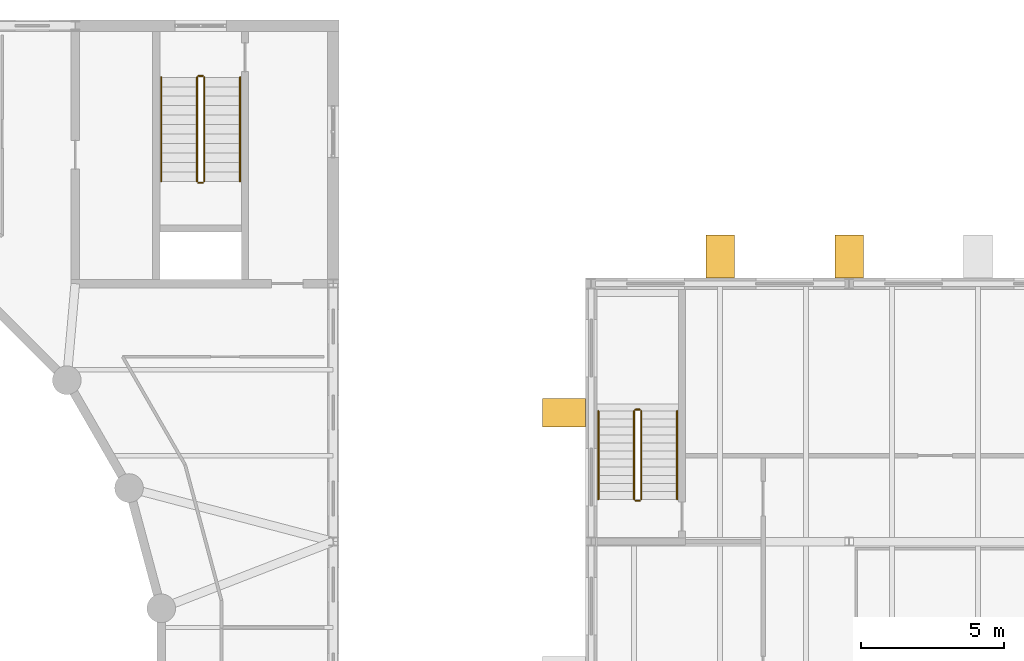
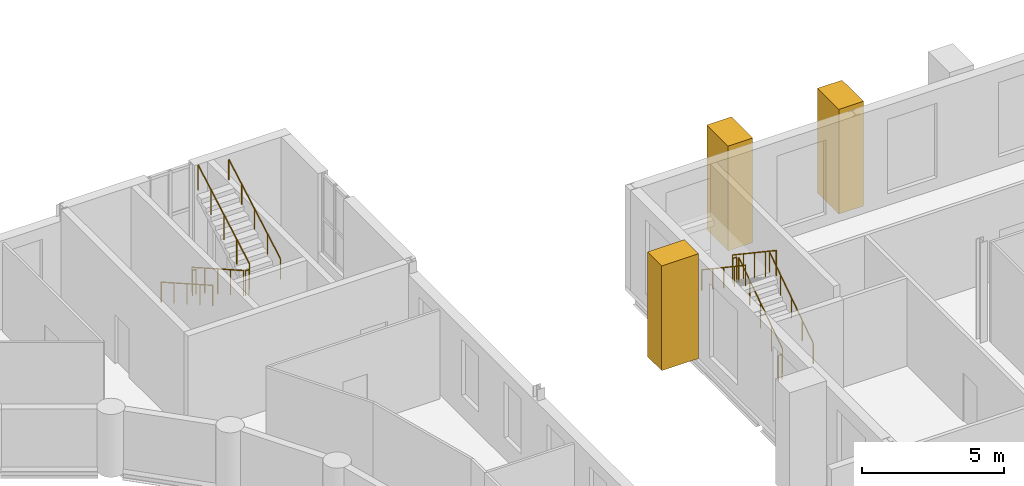
# One storey, part 124 of 134: 12 railings, 3 coverings.
"""IFC4 building model written with IfcOpenShell, lengths in metres."""

from ifc_helpers import new_model, si_unit, direction, frame, origin, origin_2d, place, context, subcontext, project, spatial, polyline, circle, outline, extrude, material, type_object, element, save


model = new_model("IFC4")

# Units and contexts
model_context = context("Model", 3, precision=1e-05, world=origin(), true_north=direction((0.0, 1.0)))
body_context = subcontext(model_context, "Body", "Model", "MODEL_VIEW")
ifc_project = project(units=[si_unit("LENGTHUNIT", "METRE"), si_unit("AREAUNIT", "SQUARE_METRE"), si_unit("VOLUMEUNIT", "CUBIC_METRE"), si_unit("PLANEANGLEUNIT", "RADIAN"), si_unit("MASSUNIT", "GRAM", prefix="KILO")], contexts=[model_context])

# Site, building, storey
site_placement = place(None, origin())
site = spatial("IfcSite", under=ifc_project, at=site_placement, CompositionType="ELEMENT")
building_placement = place(site_placement, origin())
building = spatial("IfcBuilding", under=site, at=building_placement, Name="Golden Quay Civic Hall", CompositionType="ELEMENT")
storey_placement = place(building_placement, frame((0.0, 0.0, 5.39990234375)))
storey = spatial("IfcBuildingStorey", under=building, at=storey_placement, Name="L01", CompositionType="ELEMENT", Elevation=5.39990234375)

# Coverings
ifc_material_1 = material(Name="Brick, dark clay facing", Category="masonry")
covering_type = type_object("IfcCoveringType", Name="Brick pier cladding 1000 x 1500", PredefinedType="CLADDING", material=ifc_material_1)
covering_1_placement = place(storey_placement, origin())
element("IfcCovering", 1, at=covering_1_placement, inside=storey, type_object=covering_type, Name="Brick pier cladding 1000 x 1500 L01 2", PredefinedType="CLADDING", context=body_context, shape_type="SweptSolid", body=[
    extrude(outline(polyline([(121.0, 99.199951171875), (122.0, 99.199951171875), (122.0, 100.699951171875), (121.0, 100.699951171875), (121.0, 99.199951171875)])), origin(), (0.0, 0.0, 1.0), 4.5),
])
covering_2_placement = place(storey_placement, origin())
element("IfcCovering", 2, at=covering_2_placement, inside=storey, type_object=covering_type, Name="Brick pier cladding 1000 x 1500 L01 3", PredefinedType="CLADDING", context=body_context, shape_type="SweptSolid", body=[
    extrude(outline(polyline([(125.5, 99.199951171875), (126.5, 99.199951171875), (126.5, 100.699951171875), (125.5, 100.699951171875), (125.5, 99.199951171875)])), origin(), (0.0, 0.0, 1.0), 4.5),
])
covering_3_placement = place(storey_placement, origin())
element("IfcCovering", 3, at=covering_3_placement, inside=storey, type_object=covering_type, Name="Brick pier cladding 1000 x 1500 L01 11", PredefinedType="CLADDING", context=body_context, shape_type="SweptSolid", body=[
    extrude(outline(polyline([(116.800048828125, 94.0), (116.800048828125, 95.0), (115.300048828125, 95.0), (115.300048828125, 94.0), (116.800048828125, 94.0)])), origin(), (0.0, 0.0, 1.0), 4.5),
])

# Railings
ifc_material_2 = material(Name="Steel S355", Category="steel")
railing_type_1 = type_object("IfcRailingType", Name="Steel guard 1100", PredefinedType="GUARDRAIL", material=ifc_material_2)
railing_1_placement = place(storey_placement, frame((103.25, 106.199951171875, 0.1875)))
element("IfcRailing", 4, at=railing_1_placement, inside=storey, type_object=railing_type_1, Name="L01 CB-NE stair guard 1", PredefinedType="GUARDRAIL", context=body_context, shape_type="SweptSolid", body=[
    extrude(circle(Radius=0.02392578125, at=origin_2d()), frame((0.0, 0.0, 1.076171875), z_axis=(0.0, -0.869449707104, 0.494021463923), x_axis=(1.0, 0.0, 0.0)), (0.0, 0.0, 1.0), 4.1748046875),
    extrude(circle(Radius=0.02099609375, at=origin_2d()), origin(), (0.0, 0.0, 1.0), 1.052001953125),
    extrude(circle(Radius=0.02099609375, at=origin_2d()), frame((0.0, -0.907470703125, 0.515625)), (0.0, 0.0, 1.0), 1.052001953125),
    extrude(circle(Radius=0.02099609375, at=origin_2d()), frame((0.0, -1.81494140625, 1.03125)), (0.0, 0.0, 1.0), 1.052001953125),
    extrude(circle(Radius=0.02099609375, at=origin_2d()), frame((0.0, -2.722412109375, 1.546875)), (0.0, 0.0, 1.0), 1.052001953125),
    extrude(circle(Radius=0.02099609375, at=origin_2d()), frame((0.0, -3.6298828125, 2.0625)), (0.0, 0.0, 1.0), 1.052001953125),
])
railing_2_placement = place(storey_placement, frame((103.300048828125, 102.52001953125, 2.25)))
element("IfcRailing", 5, at=railing_2_placement, inside=storey, type_object=railing_type_1, Name="L01 CB-NE stair guard 2", PredefinedType="GUARDRAIL", context=body_context, shape_type="SweptSolid", body=[
    extrude(circle(Radius=0.02392578125, at=origin_2d()), frame((0.0, 0.0, 1.076171875), z_axis=(1.0, 0.0, 0.0), x_axis=(0.0, 1.0, 0.0)), (0.0, 0.0, 1.0), 0.14990234375),
    extrude(circle(Radius=0.02099609375, at=origin_2d()), origin(), (0.0, 0.0, 1.0), 1.052001953125),
    extrude(circle(Radius=0.02099609375, at=origin_2d()), frame((0.14990234375, 0.0, 0.0)), (0.0, 0.0, 1.0), 1.052001953125),
])
railing_3_placement = place(storey_placement, frame((103.5, 102.570068359375, 2.4375)))
element("IfcRailing", 6, at=railing_3_placement, inside=storey, type_object=railing_type_1, Name="L01 CB-NE stair guard 3", PredefinedType="GUARDRAIL", context=body_context, shape_type="SweptSolid", body=[
    extrude(circle(Radius=0.02392578125, at=origin_2d()), frame((0.0, 0.0, 1.076171875), z_axis=(0.0, 0.869449707104, 0.494021463923), x_axis=(-1.0, 0.0, 0.0)), (0.0, 0.0, 1.0), 4.1748046875),
    extrude(circle(Radius=0.02099609375, at=origin_2d()), origin(), (0.0, 0.0, 1.0), 1.052001953125),
    extrude(circle(Radius=0.02099609375, at=origin_2d()), frame((0.0, 0.907470703125, 0.515625)), (0.0, 0.0, 1.0), 1.052001953125),
    extrude(circle(Radius=0.02099609375, at=origin_2d()), frame((0.0, 1.81494140625, 1.03125)), (0.0, 0.0, 1.0), 1.052001953125),
    extrude(circle(Radius=0.02099609375, at=origin_2d()), frame((0.0, 2.722412109375, 1.546875)), (0.0, 0.0, 1.0), 1.052001953125),
    extrude(circle(Radius=0.02099609375, at=origin_2d()), frame((0.0, 3.6298828125, 2.0625)), (0.0, 0.0, 1.0), 1.052001953125),
])
railing_4_placement = place(storey_placement, frame((103.300048828125, 106.25, 0.0)))
element("IfcRailing", 7, at=railing_4_placement, inside=storey, type_object=railing_type_1, Name="L01 CB-NE stair guard 4", PredefinedType="GUARDRAIL", context=body_context, shape_type="SweptSolid", body=[
    extrude(circle(Radius=0.02392578125, at=origin_2d()), frame((0.0, 0.0, 1.076171875), z_axis=(1.0, 0.0, 0.0), x_axis=(0.0, 1.0, 0.0)), (0.0, 0.0, 1.0), 0.14990234375),
    extrude(circle(Radius=0.02099609375, at=origin_2d()), origin(), (0.0, 0.0, 1.0), 1.052001953125),
    extrude(circle(Radius=0.02099609375, at=origin_2d()), frame((0.14990234375, 0.0, 0.0)), (0.0, 0.0, 1.0), 1.052001953125),
])
railing_5_placement = place(storey_placement, frame((118.75, 91.47509765625, 0.1875)))
element("IfcRailing", 8, at=railing_5_placement, inside=storey, type_object=railing_type_1, Name="L01 LB-STN stair guard 1", PredefinedType="GUARDRAIL", context=body_context, shape_type="SweptSolid", body=[
    extrude(circle(Radius=0.02392578125, at=origin_2d()), frame((0.0, 0.0, 1.076171875), z_axis=(0.0, 0.830893310487, 0.556431762742), x_axis=(-1.0, 0.0, 0.0)), (0.0, 0.0, 1.0), 3.70654296875),
    extrude(circle(Radius=0.02099609375, at=origin_2d()), origin(), (0.0, 0.0, 1.0), 1.052001953125),
    extrude(circle(Radius=0.02099609375, at=origin_2d()), frame((0.0, 0.77001953125, 0.515625)), (0.0, 0.0, 1.0), 1.052001953125),
    extrude(circle(Radius=0.02099609375, at=origin_2d()), frame((0.0, 1.5400390625, 1.03125)), (0.0, 0.0, 1.0), 1.052001953125),
    extrude(circle(Radius=0.02099609375, at=origin_2d()), frame((0.0, 2.309814453125, 1.546875)), (0.0, 0.0, 1.0), 1.052001953125),
    extrude(circle(Radius=0.02099609375, at=origin_2d()), frame((0.0, 3.079833984375, 2.0625)), (0.0, 0.0, 1.0), 1.052001953125),
])
railing_6_placement = place(storey_placement, frame((118.699951171875, 94.60498046875, 2.25)))
element("IfcRailing", 9, at=railing_6_placement, inside=storey, type_object=railing_type_1, Name="L01 LB-STN stair guard 2", PredefinedType="GUARDRAIL", context=body_context, shape_type="SweptSolid", body=[
    extrude(circle(Radius=0.02392578125, at=origin_2d()), frame((0.0, 0.0, 1.076171875), z_axis=(-1.0, 0.0, 0.0), x_axis=(0.0, -1.0, 0.0)), (0.0, 0.0, 1.0), 0.14990234375),
    extrude(circle(Radius=0.02099609375, at=origin_2d()), origin(), (0.0, 0.0, 1.0), 1.052001953125),
    extrude(circle(Radius=0.02099609375, at=origin_2d()), frame((-0.14990234375, 0.0, 0.0)), (0.0, 0.0, 1.0), 1.052001953125),
])
railing_7_placement = place(storey_placement, frame((118.5, 94.554931640625, 2.4375)))
element("IfcRailing", 10, at=railing_7_placement, inside=storey, type_object=railing_type_1, Name="L01 LB-STN stair guard 3", PredefinedType="GUARDRAIL", context=body_context, shape_type="SweptSolid", body=[
    extrude(circle(Radius=0.02392578125, at=origin_2d()), frame((0.0, 0.0, 1.076171875), z_axis=(0.0, -0.830893310487, 0.556431762742), x_axis=(1.0, 0.0, 0.0)), (0.0, 0.0, 1.0), 3.70654296875),
    extrude(circle(Radius=0.02099609375, at=origin_2d()), origin(), (0.0, 0.0, 1.0), 1.052001953125),
    extrude(circle(Radius=0.02099609375, at=origin_2d()), frame((0.0, -0.77001953125, 0.515625)), (0.0, 0.0, 1.0), 1.052001953125),
    extrude(circle(Radius=0.02099609375, at=origin_2d()), frame((0.0, -1.5400390625, 1.03125)), (0.0, 0.0, 1.0), 1.052001953125),
    extrude(circle(Radius=0.02099609375, at=origin_2d()), frame((0.0, -2.309814453125, 1.546875)), (0.0, 0.0, 1.0), 1.052001953125),
    extrude(circle(Radius=0.02099609375, at=origin_2d()), frame((0.0, -3.079833984375, 2.0625)), (0.0, 0.0, 1.0), 1.052001953125),
])
railing_8_placement = place(storey_placement, frame((118.699951171875, 91.425048828125, 0.0)))
element("IfcRailing", 11, at=railing_8_placement, inside=storey, type_object=railing_type_1, Name="L01 LB-STN stair guard 4", PredefinedType="GUARDRAIL", context=body_context, shape_type="SweptSolid", body=[
    extrude(circle(Radius=0.02392578125, at=origin_2d()), frame((0.0, 0.0, 1.076171875), z_axis=(-1.0, 0.0, 0.0), x_axis=(0.0, -1.0, 0.0)), (0.0, 0.0, 1.0), 0.14990234375),
    extrude(circle(Radius=0.02099609375, at=origin_2d()), origin(), (0.0, 0.0, 1.0), 1.052001953125),
    extrude(circle(Radius=0.02099609375, at=origin_2d()), frame((-0.14990234375, 0.0, 0.0)), (0.0, 0.0, 1.0), 1.052001953125),
])
ifc_material_3 = material(Name="Steel S355", Category="steel")
railing_type_2 = type_object("IfcRailingType", Name="Steel handrail 900", PredefinedType="HANDRAIL", material=ifc_material_3)
railing_9_placement = place(storey_placement, frame((102.0, 106.199951171875, 0.1875)))
element("IfcRailing", 12, at=railing_9_placement, inside=storey, type_object=railing_type_2, Name="L01 CB-NE stair handrail 1", PredefinedType="HANDRAIL", context=body_context, shape_type="SweptSolid", body=[
    extrude(circle(Radius=0.02392578125, at=origin_2d()), frame((0.0, 0.0, 0.8759765625), z_axis=(0.0, -0.869449707104, 0.494021463923), x_axis=(1.0, 0.0, 0.0)), (0.0, 0.0, 1.0), 4.1748046875),
    extrude(circle(Radius=0.02099609375, at=origin_2d()), origin(), (0.0, 0.0, 1.0), 0.851806640625),
    extrude(circle(Radius=0.02099609375, at=origin_2d()), frame((0.0, -0.907470703125, 0.515625)), (0.0, 0.0, 1.0), 0.851806640625),
    extrude(circle(Radius=0.02099609375, at=origin_2d()), frame((0.0, -1.81494140625, 1.03125)), (0.0, 0.0, 1.0), 0.851806640625),
    extrude(circle(Radius=0.02099609375, at=origin_2d()), frame((0.0, -2.722412109375, 1.546875)), (0.0, 0.0, 1.0), 0.851806640625),
    extrude(circle(Radius=0.02099609375, at=origin_2d()), frame((0.0, -3.6298828125, 2.0625)), (0.0, 0.0, 1.0), 0.851806640625),
])
railing_10_placement = place(storey_placement, frame((104.75, 102.570068359375, 2.4375)))
element("IfcRailing", 13, at=railing_10_placement, inside=storey, type_object=railing_type_2, Name="L01 CB-NE stair handrail 2", PredefinedType="HANDRAIL", context=body_context, shape_type="SweptSolid", body=[
    extrude(circle(Radius=0.02392578125, at=origin_2d()), frame((0.0, 0.0, 0.8759765625), z_axis=(0.0, 0.869449707104, 0.494021463923), x_axis=(-1.0, 0.0, 0.0)), (0.0, 0.0, 1.0), 4.1748046875),
    extrude(circle(Radius=0.02099609375, at=origin_2d()), origin(), (0.0, 0.0, 1.0), 0.851806640625),
    extrude(circle(Radius=0.02099609375, at=origin_2d()), frame((0.0, 0.907470703125, 0.515625)), (0.0, 0.0, 1.0), 0.851806640625),
    extrude(circle(Radius=0.02099609375, at=origin_2d()), frame((0.0, 1.81494140625, 1.03125)), (0.0, 0.0, 1.0), 0.851806640625),
    extrude(circle(Radius=0.02099609375, at=origin_2d()), frame((0.0, 2.722412109375, 1.546875)), (0.0, 0.0, 1.0), 0.851806640625),
    extrude(circle(Radius=0.02099609375, at=origin_2d()), frame((0.0, 3.6298828125, 2.0625)), (0.0, 0.0, 1.0), 0.851806640625),
])
railing_11_placement = place(storey_placement, frame((120.0, 91.47509765625, 0.1875)))
element("IfcRailing", 14, at=railing_11_placement, inside=storey, type_object=railing_type_2, Name="L01 LB-STN stair handrail 1", PredefinedType="HANDRAIL", context=body_context, shape_type="SweptSolid", body=[
    extrude(circle(Radius=0.02392578125, at=origin_2d()), frame((0.0, 0.0, 0.8759765625), z_axis=(0.0, 0.830893310487, 0.556431762742), x_axis=(-1.0, 0.0, 0.0)), (0.0, 0.0, 1.0), 3.70654296875),
    extrude(circle(Radius=0.02099609375, at=origin_2d()), origin(), (0.0, 0.0, 1.0), 0.851806640625),
    extrude(circle(Radius=0.02099609375, at=origin_2d()), frame((0.0, 0.77001953125, 0.515625)), (0.0, 0.0, 1.0), 0.851806640625),
    extrude(circle(Radius=0.02099609375, at=origin_2d()), frame((0.0, 1.5400390625, 1.03125)), (0.0, 0.0, 1.0), 0.851806640625),
    extrude(circle(Radius=0.02099609375, at=origin_2d()), frame((0.0, 2.309814453125, 1.546875)), (0.0, 0.0, 1.0), 0.851806640625),
    extrude(circle(Radius=0.02099609375, at=origin_2d()), frame((0.0, 3.079833984375, 2.0625)), (0.0, 0.0, 1.0), 0.851806640625),
])
railing_12_placement = place(storey_placement, frame((117.25, 94.554931640625, 2.4375)))
element("IfcRailing", 15, at=railing_12_placement, inside=storey, type_object=railing_type_2, Name="L01 LB-STN stair handrail 2", PredefinedType="HANDRAIL", context=body_context, shape_type="SweptSolid", body=[
    extrude(circle(Radius=0.02392578125, at=origin_2d()), frame((0.0, 0.0, 0.8759765625), z_axis=(0.0, -0.830893310487, 0.556431762742), x_axis=(1.0, 0.0, 0.0)), (0.0, 0.0, 1.0), 3.70654296875),
    extrude(circle(Radius=0.02099609375, at=origin_2d()), origin(), (0.0, 0.0, 1.0), 0.851806640625),
    extrude(circle(Radius=0.02099609375, at=origin_2d()), frame((0.0, -0.77001953125, 0.515625)), (0.0, 0.0, 1.0), 0.851806640625),
    extrude(circle(Radius=0.02099609375, at=origin_2d()), frame((0.0, -1.5400390625, 1.03125)), (0.0, 0.0, 1.0), 0.851806640625),
    extrude(circle(Radius=0.02099609375, at=origin_2d()), frame((0.0, -2.309814453125, 1.546875)), (0.0, 0.0, 1.0), 0.851806640625),
    extrude(circle(Radius=0.02099609375, at=origin_2d()), frame((0.0, -3.079833984375, 2.0625)), (0.0, 0.0, 1.0), 0.851806640625),
])

save(model, "model.ifc")
